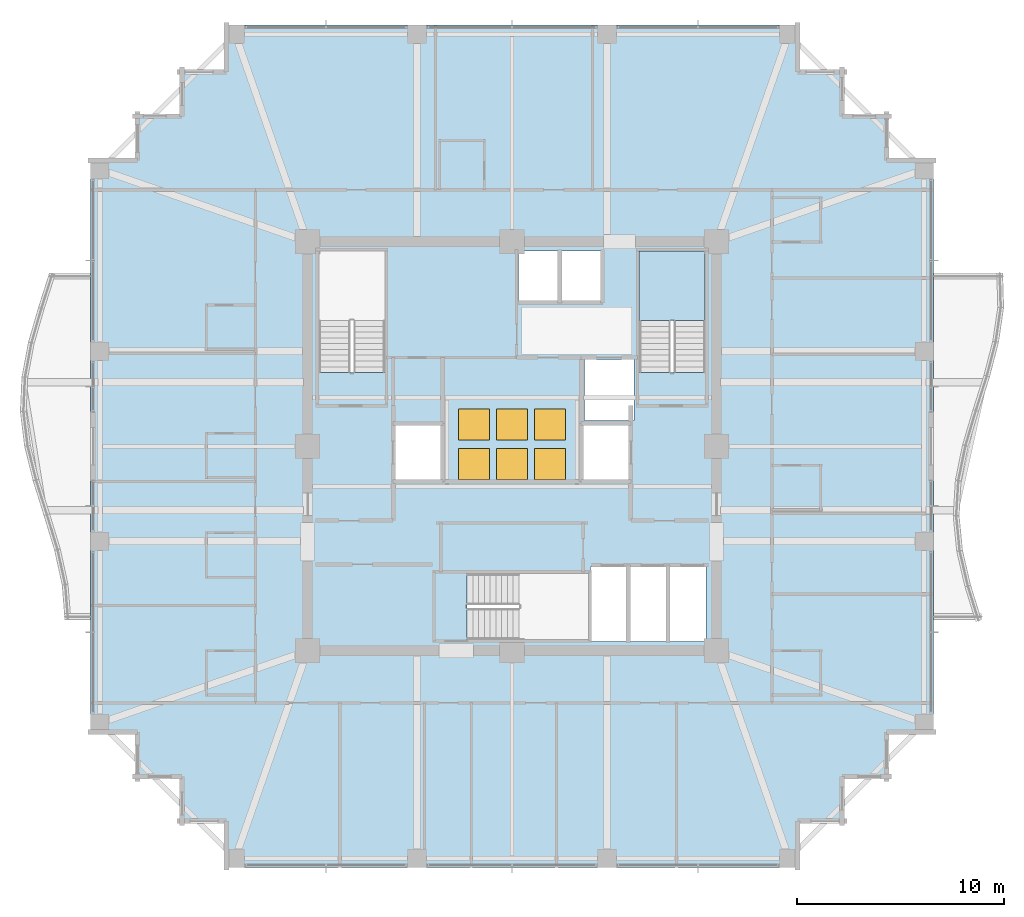
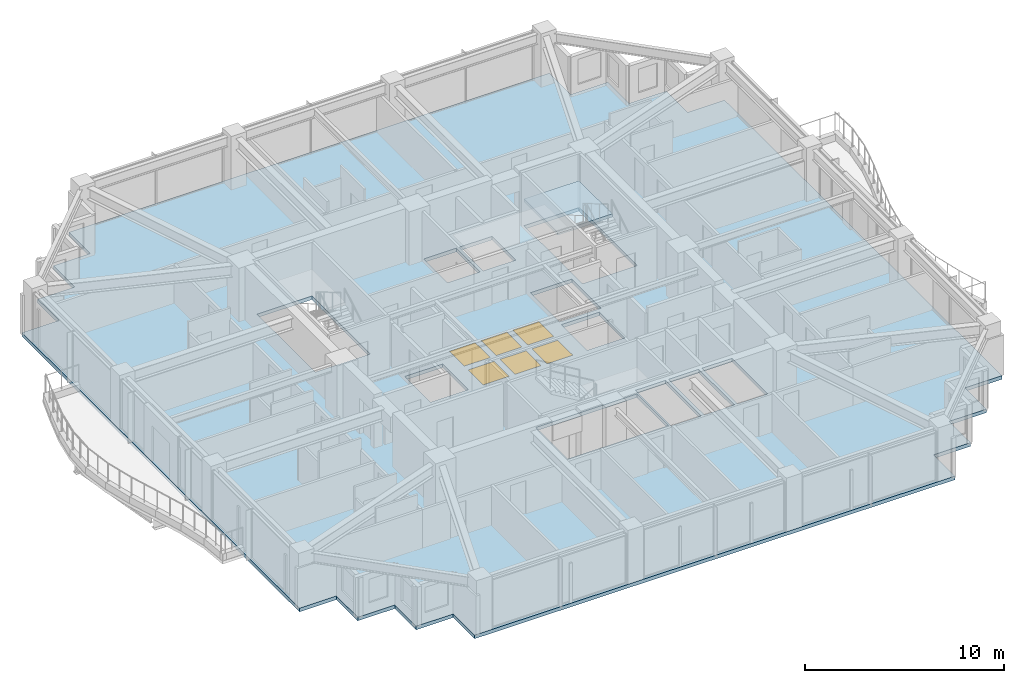
# One storey, part 24 of 34: 6 windows, 2 slabs, 6 openings, 1 element without a shape of its own.
"""IFC4 building model written with IfcOpenShell, lengths in metres."""

from ifc_helpers import new_model, si_unit, direction, frame, origin, origin_2d, place, context, subcontext, project, spatial, polyline, rectangle, outline, extrude, material, layer, layer_set, type_object, element, fill, aggregate, save


model = new_model("IFC4")

# Units and contexts
model_context = context("Model", 3, precision=1e-05, world=origin(), true_north=direction((0.0, 1.0)))
body_context = subcontext(model_context, "Body", "Model", "MODEL_VIEW")
ifc_project = project(units=[si_unit("LENGTHUNIT", "METRE"), si_unit("AREAUNIT", "SQUARE_METRE"), si_unit("VOLUMEUNIT", "CUBIC_METRE"), si_unit("PLANEANGLEUNIT", "RADIAN"), si_unit("MASSUNIT", "GRAM", prefix="KILO")], contexts=[model_context])

# Site, building, storey
site_placement = place(None, origin())
site = spatial("IfcSite", under=ifc_project, at=site_placement, CompositionType="ELEMENT")
building_placement = place(site_placement, origin())
building = spatial("IfcBuilding", under=site, at=building_placement, Name="Kolvaren Belvedere", CompositionType="ELEMENT")
storey_placement = place(building_placement, frame((0.0, 0.0, 189.89990234375)))
storey = spatial("IfcBuildingStorey", under=building, at=storey_placement, Name="L55", CompositionType="ELEMENT", Elevation=189.89990234375)

# Slab, openings, windows
ifc_material_1 = material(Name="Concrete C50/60", Category="concrete")
ifc_layer_1 = layer(ifc_material_1, 0.219970703125)
ifc_layer_set_1 = layer_set([ifc_layer_1], Name="Concrete C50/60")
slab_type_1 = type_object("IfcSlabType", Name="SL-FLR-220", PredefinedType="FLOOR", material=ifc_layer_set_1)
slab_1_placement = place(storey_placement, frame((0.0, 0.0, -0.219970703125)))
slab_1 = element("IfcSlab", 1, at=slab_1_placement, inside=storey, type_object=slab_type_1, Name="L55 Primary Structural Slab", PredefinedType="FLOOR", context=body_context, shape_type="SweptSolid", body=[
    extrude(outline(polyline([(-13.949951171875, -20.39990234375), (13.949951171875, -20.39990234375), (13.949951171875, -18.25), (16.10009765625, -18.25), (16.10009765625, -16.10009765625), (18.25, -16.10009765625), (18.25, -13.949951171875), (20.39990234375, -13.949951171875), (20.39990234375, 13.949951171875), (18.25, 13.949951171875), (18.25, 16.10009765625), (16.10009765625, 16.10009765625), (16.10009765625, 18.25), (13.949951171875, 18.25), (13.949951171875, 20.39990234375), (-13.949951171875, 20.39990234375), (-13.949951171875, 18.25), (-16.10009765625, 18.25), (-16.10009765625, 16.10009765625), (-18.25, 16.10009765625), (-18.25, 13.949951171875), (-20.39990234375, 13.949951171875), (-20.39990234375, -13.949951171875), (-18.25, -13.949951171875), (-18.25, -16.10009765625), (-16.10009765625, -16.10009765625), (-16.10009765625, -18.25), (-13.949951171875, -18.25), (-13.949951171875, -20.39990234375)]), holes=[polyline([(-9.35009765625, 3.580078125), (-6.159912109375, 3.580078125), (-6.159912109375, 9.449951171875), (-9.35009765625, 9.449951171875), (-9.35009765625, 3.580078125)]), polyline([(6.159912109375, 3.580078125), (9.35009765625, 3.580078125), (9.35009765625, 9.449951171875), (6.159912109375, 9.449951171875), (6.159912109375, 3.580078125)]), polyline([(-2.169921875, -9.35009765625), (3.699951171875, -9.35009765625), (3.699951171875, -6.159912109375), (-2.169921875, -6.159912109375), (-2.169921875, -9.35009765625)]), polyline([(-5.64990234375, -1.60009765625), (-3.449951171875, -1.60009765625), (-3.449951171875, 1.0), (-5.64990234375, 1.0), (-5.64990234375, -1.60009765625)]), polyline([(3.5, 1.25), (5.89990234375, 1.25), (5.89990234375, 4.199951171875), (3.5, 4.199951171875), (3.5, 1.25)]), polyline([(3.449951171875, -1.60009765625), (5.64990234375, -1.60009765625), (5.64990234375, 1.0), (3.449951171875, 1.0), (3.449951171875, -1.60009765625)]), polyline([(3.7900390625, -9.449951171875), (5.5400390625, -9.449951171875), (5.5400390625, -5.85009765625), (3.7900390625, -5.85009765625), (3.7900390625, -9.449951171875)]), polyline([(5.719970703125, -9.449951171875), (7.469970703125, -9.449951171875), (7.469970703125, -5.85009765625), (5.719970703125, -5.85009765625), (5.719970703125, -9.449951171875)]), polyline([(7.64990234375, -9.449951171875), (9.39990234375, -9.449951171875), (9.39990234375, -5.85009765625), (7.64990234375, -5.85009765625), (7.64990234375, -9.449951171875)]), polyline([(0.320068359375, 7.050048828125), (2.219970703125, 7.050048828125), (2.219970703125, 9.449951171875), (0.320068359375, 9.449951171875), (0.320068359375, 7.050048828125)]), polyline([(2.39990234375, 7.050048828125), (4.300048828125, 7.050048828125), (4.300048828125, 9.449951171875), (2.39990234375, 9.449951171875), (2.39990234375, 7.050048828125)])]), origin(), (0.0, 0.0, 1.0), 0.219970703125),
])
opening_1_placement = place(slab_1_placement, frame((-1.85009765625, -0.85009765625, 0.0)))
opening_1 = element("IfcOpeningElement", 2, at=opening_1_placement, cuts=slab_1, Name="Opening SK-180", PredefinedType="OPENING", context=body_context, shape_type="SweptSolid", body=[
    extrude(rectangle(XDim=1.5, YDim=1.5, at=origin_2d()), origin(), (0.0, 0.0, 1.0), 0.219970703125),
])
opening_2_placement = place(slab_1_placement, frame((0.0, -0.85009765625, 0.0)))
opening_2 = element("IfcOpeningElement", 3, at=opening_2_placement, cuts=slab_1, Name="Opening SK-180", PredefinedType="OPENING", context=body_context, shape_type="SweptSolid", body=[
    extrude(rectangle(XDim=1.5, YDim=1.5, at=origin_2d()), origin(), (0.0, 0.0, 1.0), 0.219970703125),
])
opening_3_placement = place(slab_1_placement, frame((1.85009765625, -0.85009765625, 0.0)))
opening_3 = element("IfcOpeningElement", 4, at=opening_3_placement, cuts=slab_1, Name="Opening SK-180", PredefinedType="OPENING", context=body_context, shape_type="SweptSolid", body=[
    extrude(rectangle(XDim=1.5, YDim=1.5, at=origin_2d()), origin(), (0.0, 0.0, 1.0), 0.219970703125),
])
opening_4_placement = place(slab_1_placement, frame((-1.85009765625, 1.050048828125, 0.0)))
opening_4 = element("IfcOpeningElement", 5, at=opening_4_placement, cuts=slab_1, Name="Opening SK-180", PredefinedType="OPENING", context=body_context, shape_type="SweptSolid", body=[
    extrude(rectangle(XDim=1.5, YDim=1.5, at=origin_2d()), origin(), (0.0, 0.0, 1.0), 0.219970703125),
])
opening_5_placement = place(slab_1_placement, frame((0.0, 1.050048828125, 0.0)))
opening_5 = element("IfcOpeningElement", 6, at=opening_5_placement, cuts=slab_1, Name="Opening SK-180", PredefinedType="OPENING", context=body_context, shape_type="SweptSolid", body=[
    extrude(rectangle(XDim=1.5, YDim=1.5, at=origin_2d()), origin(), (0.0, 0.0, 1.0), 0.219970703125),
])
opening_6_placement = place(slab_1_placement, frame((1.85009765625, 1.050048828125, 0.0)))
opening_6 = element("IfcOpeningElement", 7, at=opening_6_placement, cuts=slab_1, Name="Opening SK-180", PredefinedType="OPENING", context=body_context, shape_type="SweptSolid", body=[
    extrude(rectangle(XDim=1.5, YDim=1.5, at=origin_2d()), origin(), (0.0, 0.0, 1.0), 0.219970703125),
])
ifc_material_2 = material(Name="Low-iron laminated skylight glazing", Category="glass")
window_type = type_object("IfcWindowType", Name="SK-ATRIUM-18", PartitioningType="SINGLE_PANEL", PredefinedType="SKYLIGHT", material=ifc_material_2)
window_1_placement = place(opening_1_placement, frame((0.0, 0.0, 0.169921875)))
window_1 = element("IfcWindow", 8, at=window_1_placement, inside=storey, type_object=window_type, Name="Central Atrium Overhead Skylight SK-1", OverallHeight=1.5, OverallWidth=1.5, PartitioningType="SINGLE_PANEL", PredefinedType="SKYLIGHT", context=body_context, shape_type="SweptSolid", body=[
    extrude(rectangle(XDim=1.5, YDim=1.5, at=origin_2d()), origin(), (0.0, 0.0, 1.0), 0.050048828125),
])
fill(opening_1, window_1)
window_2_placement = place(opening_2_placement, frame((0.0, 0.0, 0.169921875)))
window_2 = element("IfcWindow", 9, at=window_2_placement, inside=storey, type_object=window_type, Name="Central Atrium Overhead Skylight SK-2", OverallHeight=1.5, OverallWidth=1.5, PartitioningType="SINGLE_PANEL", PredefinedType="SKYLIGHT", context=body_context, shape_type="SweptSolid", body=[
    extrude(rectangle(XDim=1.5, YDim=1.5, at=origin_2d()), origin(), (0.0, 0.0, 1.0), 0.050048828125),
])
fill(opening_2, window_2)
window_3_placement = place(opening_3_placement, frame((0.0, 0.0, 0.169921875)))
window_3 = element("IfcWindow", 10, at=window_3_placement, inside=storey, type_object=window_type, Name="Central Atrium Overhead Skylight SK-3", OverallHeight=1.5, OverallWidth=1.5, PartitioningType="SINGLE_PANEL", PredefinedType="SKYLIGHT", context=body_context, shape_type="SweptSolid", body=[
    extrude(rectangle(XDim=1.5, YDim=1.5, at=origin_2d()), origin(), (0.0, 0.0, 1.0), 0.050048828125),
])
fill(opening_3, window_3)
window_4_placement = place(opening_4_placement, frame((0.0, 0.0, 0.169921875)))
window_4 = element("IfcWindow", 11, at=window_4_placement, inside=storey, type_object=window_type, Name="Central Atrium Overhead Skylight SK-4", OverallHeight=1.5, OverallWidth=1.5, PartitioningType="SINGLE_PANEL", PredefinedType="SKYLIGHT", context=body_context, shape_type="SweptSolid", body=[
    extrude(rectangle(XDim=1.5, YDim=1.5, at=origin_2d()), origin(), (0.0, 0.0, 1.0), 0.050048828125),
])
fill(opening_4, window_4)
window_5_placement = place(opening_5_placement, frame((0.0, 0.0, 0.169921875)))
window_5 = element("IfcWindow", 12, at=window_5_placement, inside=storey, type_object=window_type, Name="Central Atrium Overhead Skylight SK-5", OverallHeight=1.5, OverallWidth=1.5, PartitioningType="SINGLE_PANEL", PredefinedType="SKYLIGHT", context=body_context, shape_type="SweptSolid", body=[
    extrude(rectangle(XDim=1.5, YDim=1.5, at=origin_2d()), origin(), (0.0, 0.0, 1.0), 0.050048828125),
])
fill(opening_5, window_5)
window_6_placement = place(opening_6_placement, frame((0.0, 0.0, 0.169921875)))
window_6 = element("IfcWindow", 13, at=window_6_placement, inside=storey, type_object=window_type, Name="Central Atrium Overhead Skylight SK-6", OverallHeight=1.5, OverallWidth=1.5, PartitioningType="SINGLE_PANEL", PredefinedType="SKYLIGHT", context=body_context, shape_type="SweptSolid", body=[
    extrude(rectangle(XDim=1.5, YDim=1.5, at=origin_2d()), origin(), (0.0, 0.0, 1.0), 0.050048828125),
])
fill(opening_6, window_6)

# Stair, slab
ifc_material_3 = material(Name="Concrete C50/60", Category="concrete")
stair_type = type_object("IfcStairType", Name="ST-CORE-1520", PredefinedType="HALF_TURN_STAIR", material=ifc_material_3)
stair_placement = place(storey_placement, origin())
stair = element("IfcStair", 14, at=stair_placement, inside=storey, type_object=stair_type, Name="L55 Protected Exit Stair ST-2", PredefinedType="HALF_TURN_STAIR")
ifc_material_4 = material(Name="Concrete C50/60", Category="concrete")
ifc_layer_2 = layer(ifc_material_4, 0.260009765625)
ifc_layer_set_2 = layer_set([ifc_layer_2], Name="Concrete C50/60")
slab_type_2 = type_object("IfcSlabType", Name="SL-LAND-260", PredefinedType="LANDING", material=ifc_layer_set_2)
slab_2_placement = place(storey_placement, frame((0.0, 0.0, 1.4501953125)))
slab_2 = element("IfcSlab", 15, at=slab_2_placement, type_object=slab_type_2, Name="ST-2 landing 1", PredefinedType="LANDING", context=body_context, shape_type="SweptSolid", body=[
    extrude(outline(polyline([(9.35009765625, 6.090087890625), (9.35009765625, 9.449951171875), (6.159912109375, 9.449951171875), (6.159912109375, 6.090087890625), (9.35009765625, 6.090087890625)])), origin(), (0.0, 0.0, 1.0), 0.199951171875),
])
aggregate(stair, [slab_2])

save(model, "model.ifc")
